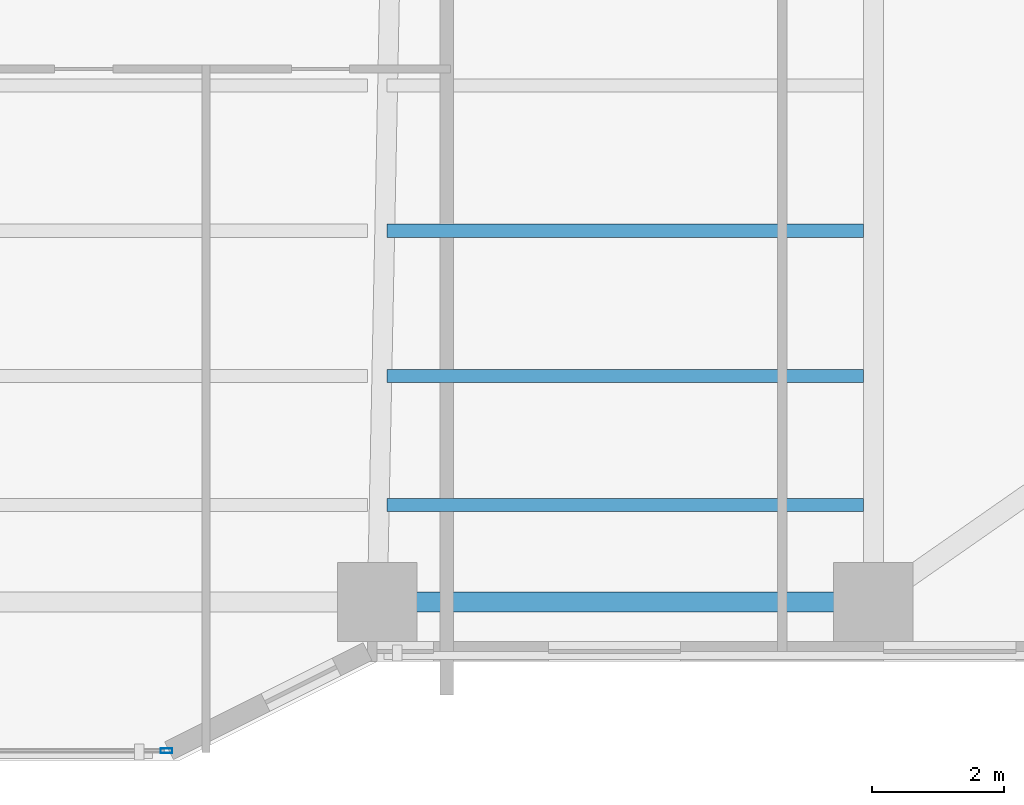
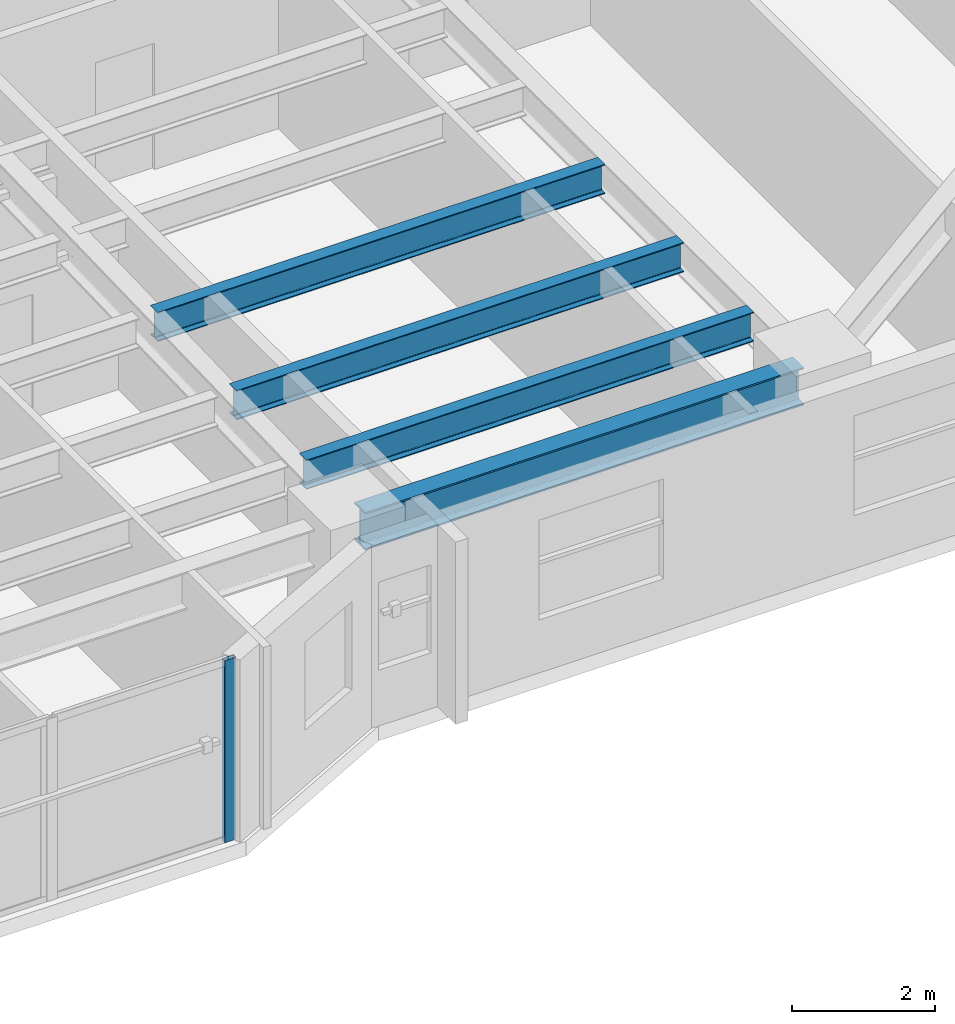
# One storey, part 4 of 19: 4 beams, 1 member, 1 element without a shape of its own.
"""IFC4 building model written with IfcOpenShell, lengths in metres."""

from ifc_helpers import new_model, si_unit, direction, frame, origin, origin_2d, place, context, subcontext, project, spatial, hollow_rectangle, i_section, extrude, material, layer, layer_set, material_profile, profile_set, type_object, element, aggregate, save


model = new_model("IFC4")

# Units and contexts
model_context = context("Model", 3, precision=1e-05, world=origin(), true_north=direction((0.0, 1.0)))
body_context = subcontext(model_context, "Body", "Model", "MODEL_VIEW")
ifc_project = project(units=[si_unit("LENGTHUNIT", "METRE"), si_unit("AREAUNIT", "SQUARE_METRE"), si_unit("VOLUMEUNIT", "CUBIC_METRE"), si_unit("PLANEANGLEUNIT", "RADIAN"), si_unit("MASSUNIT", "GRAM", prefix="KILO")], contexts=[model_context])

# Site, building, storey
site_placement = place(None, origin())
site = spatial("IfcSite", under=ifc_project, at=site_placement, CompositionType="ELEMENT")
building_placement = place(site_placement, origin())
building = spatial("IfcBuilding", under=site, at=building_placement, Name="Tarnavaz Court Tower", CompositionType="ELEMENT")
storey_placement = place(building_placement, frame((0.0, 0.0, 50.800048828125)))
storey = spatial("IfcBuildingStorey", under=building, at=storey_placement, Name="L13", CompositionType="ELEMENT", Elevation=50.800048828125)

# Beams
ifc_material_1 = material(Name="Steel S355", Category="steel")
ifc_material_profile_1 = material_profile(ifc_material_1, i_section(OverallWidth=0.199951171875, OverallDepth=0.5, WebThickness=0.01025390625, FlangeThickness=0.01611328125, FilletRadius=0.02099609375, at=origin_2d()), Name="IPE 500")
ifc_profile_set_1 = profile_set([ifc_material_profile_1], Name="Steel S355")
beam_type_1 = type_object("IfcBeamType", Name="BM-J-IPE500", PredefinedType="JOIST", material=ifc_profile_set_1)
for number, where, z_axis, x_axis, name in (
    (1, (7.64990234375, -17.18798828125, 2.849853515625), (1.0, 0.0, 0.0), (0.0, 1.0, 0.0), "L13 Beam JS3-3"),
    (2, (7.64990234375, -19.384033203125, 2.849853515625), (1.0, 0.0, 0.0), (0.0, 1.0, 0.0), "L13 Beam JS4-3"),
    (3, (7.64990234375, -21.3359375, 2.849853515625), (1.0, 0.0, 0.0), (0.0, 1.0, 0.0), "L13 Beam JS5-3"),
):
    element("IfcBeam", number, at=place(storey_placement, frame(where, z_axis=z_axis, x_axis=x_axis)), inside=storey, type_object=beam_type_1, Name=name, PredefinedType="JOIST", context=body_context, shape_type="SweptSolid", body=[
        extrude(i_section(OverallWidth=0.199951171875, OverallDepth=0.5, WebThickness=0.01025390625, FlangeThickness=0.01611328125, FilletRadius=0.02099609375, at=origin_2d()), origin(), (0.0, 0.0, 1.0), 7.2001953125),
    ])
ifc_material_profile_2 = material_profile(ifc_material_1, i_section(OverallWidth=0.300048828125, OverallDepth=0.639892578125, WebThickness=0.013427734375, FlangeThickness=0.02587890625, FilletRadius=0.027099609375, at=origin_2d()), Name="HEA 650")
ifc_profile_set_2 = profile_set([ifc_material_profile_2], Name="Steel S355")
beam_type_2 = type_object("IfcBeamType", Name="BM-SP-HEA650", PredefinedType="SPANDREL", material=ifc_profile_set_2)
beam_placement = place(storey_placement, frame((7.719970703125, -22.800048828125, 2.780029296875), z_axis=(1.0, 0.0, 0.0), x_axis=(0.0, 1.0, 0.0)))
element("IfcBeam", 4, at=beam_placement, inside=storey, type_object=beam_type_2, Name="L13 Beam PR-PS-3-PS-4", PredefinedType="SPANDREL", context=body_context, shape_type="SweptSolid", body=[
    extrude(i_section(OverallWidth=0.300048828125, OverallDepth=0.639892578125, WebThickness=0.013427734375, FlangeThickness=0.02587890625, FilletRadius=0.027099609375, at=origin_2d()), origin(), (0.0, 0.0, 1.0), 7.06005859375),
])

# Curtain wall, member
ifc_material_2 = material(Name="Anodised Aluminium 6063-T6 and Solar Low-E Glazing", Category="aluminium")
ifc_layer = layer(ifc_material_2, 0.179931640625)
ifc_layer_set = layer_set([ifc_layer], Name="Anodised Aluminium 6063-T6 and Solar Low-E Glazing")
curtain_wall_type = type_object("IfcCurtainWallType", Name="CW-SYS-02", PredefinedType="NOTDEFINED", material=ifc_layer_set)
curtain_wall_placement = place(storey_placement, origin())
curtain_wall = element("IfcCurtainWall", 5, at=curtain_wall_placement, inside=storey, type_object=curtain_wall_type, Name="L13 Iwan Prow Curtain Wall 17", PredefinedType="NOTDEFINED")
ifc_material_3 = material(Name="Anodised Aluminium 6063-T6", Category="aluminium")
ifc_material_profile_3 = material_profile(ifc_material_3, hollow_rectangle(XDim=0.074951171875, YDim=0.179931640625, WallThickness=0.0048828125, InnerFilletRadius=0.0048828125, OuterFilletRadius=0.010009765625, at=origin_2d()), Name="ALU RHS 180X75X5")
ifc_profile_set_3 = profile_set([ifc_material_profile_3], Name="Anodised Aluminium 6063-T6")
member_type = type_object("IfcMemberType", Name="CW-MUL-180", PredefinedType="MULLION", material=ifc_profile_set_3)
member_placement = place(storey_placement, frame((4.3125, -25.050048828125, 0.0), z_axis=(0.0, 0.0, 1.0), x_axis=(0.0, -1.0, 0.0)))
member = element("IfcMember", 6, at=member_placement, type_object=member_type, Name="CW mullion 1", PredefinedType="MULLION", context=body_context, shape_type="SweptSolid", body=[
    extrude(hollow_rectangle(XDim=0.074951171875, YDim=0.179931640625, WallThickness=0.0048828125, InnerFilletRadius=0.0048828125, OuterFilletRadius=0.010009765625, at=origin_2d()), origin(), (0.0, 0.0, 1.0), 3.099853515625),
])
aggregate(curtain_wall, [member])

save(model, "model.ifc")
